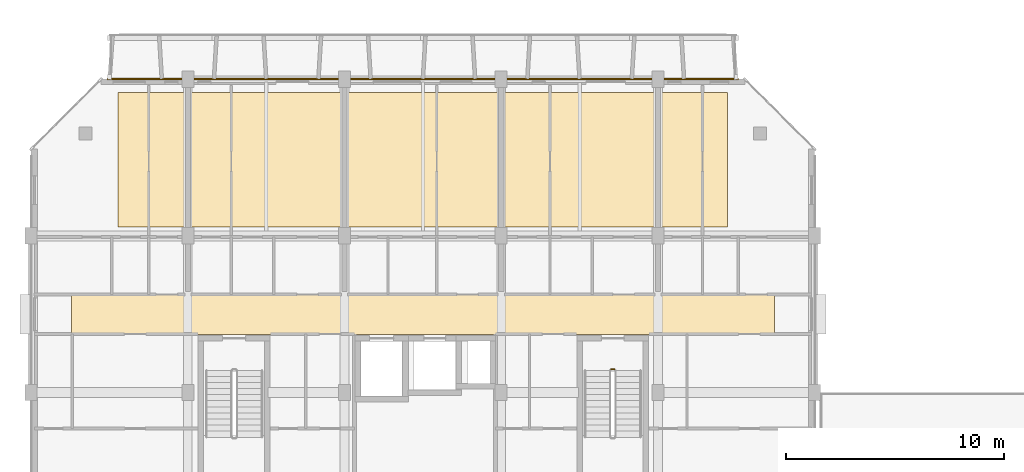
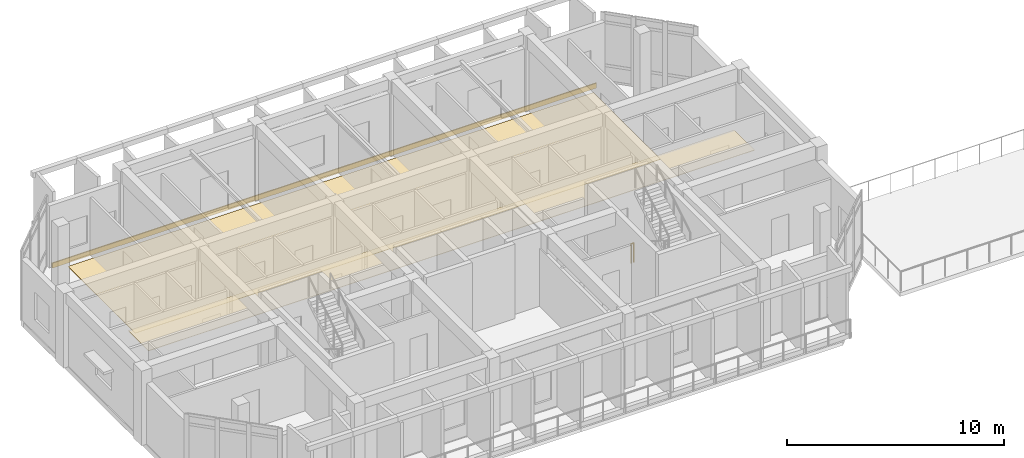
# One storey, part 75 of 85: 3 coverings, 1 railing.
"""IFC4 building model written with IfcOpenShell, lengths in metres."""

from ifc_helpers import new_model, si_unit, direction, frame, origin, origin_2d, place, context, subcontext, project, spatial, polyline, rectangle, circle, outline, extrude, material, layer, layer_set, type_object, element, save


model = new_model("IFC4")

# Units and contexts
model_context = context("Model", 3, precision=1e-05, world=origin(), true_north=direction((0.0, 1.0)))
body_context = subcontext(model_context, "Body", "Model", "MODEL_VIEW")
ifc_project = project(units=[si_unit("LENGTHUNIT", "METRE"), si_unit("AREAUNIT", "SQUARE_METRE"), si_unit("VOLUMEUNIT", "CUBIC_METRE"), si_unit("PLANEANGLEUNIT", "RADIAN"), si_unit("MASSUNIT", "GRAM", prefix="KILO")], contexts=[model_context])

# Site, building, storey
site_placement = place(None, origin())
site = spatial("IfcSite", under=ifc_project, at=site_placement, CompositionType="ELEMENT")
building_placement = place(site_placement, origin())
building = spatial("IfcBuilding", under=site, at=building_placement, Name="Ochrevale Crest", CompositionType="ELEMENT")
storey_placement = place(building_placement, frame((0.0, 0.0, 4.5)))
storey = spatial("IfcBuildingStorey", under=building, at=storey_placement, Name="L01", CompositionType="ELEMENT", Elevation=4.5)

# Coverings
ifc_material_1 = material(Name="Gypsum plasterboard", Category="gypsum")
ifc_layer_1 = layer(ifc_material_1, 0.02490234375)
ifc_layer_set_1 = layer_set([ifc_layer_1], Name="Gypsum plasterboard")
covering_type_1 = type_object("IfcCoveringType", Name="COV-CEIL-GYP", PredefinedType="CEILING", material=ifc_layer_set_1)
covering_1_placement = place(storey_placement, frame((0.0, 0.0, 2.75)))
element("IfcCovering", 1, at=covering_1_placement, inside=storey, type_object=covering_type_1, Name="Block B L01 acoustic corridor ceiling", PredefinedType="CEILING", context=body_context, shape_type="SweptSolid", body=[
    extrude(outline(polyline([(1.85009765625, 81.860107421875), (34.14990234375, 81.860107421875), (34.14990234375, 83.739990234375), (1.85009765625, 83.739990234375), (1.85009765625, 81.860107421875)])), origin(), (0.0, 0.0, 1.0), 0.02490234375),
])
ifc_material_2 = material(Name="Glazed terracotta rainscreen tile", Category="masonry")
ifc_layer_2 = layer(ifc_material_2, 0.048095703125)
ifc_layer_set_2 = layer_set([ifc_layer_2], Name="Glazed terracotta rainscreen tile")
covering_type_2 = type_object("IfcCoveringType", Name="COV-CLAD-TER", PredefinedType="CLADDING", material=ifc_layer_set_2)
covering_2_placement = place(storey_placement, frame((18.0, 93.612548828125, -0.26025390625), z_axis=(0.0, 0.0, 1.0), x_axis=(-1.0, 0.0, 0.0)))
element("IfcCovering", 2, at=covering_2_placement, inside=storey, type_object=covering_type_2, Name="Block B L01 terracotta slab-edge spandrel cladding", PredefinedType="CLADDING", context=body_context, shape_type="SweptSolid", body=[
    extrude(rectangle(XDim=29.0, YDim=0.06005859375, at=origin_2d()), origin(), (0.0, 0.0, 1.0), 0.280029296875),
])
ifc_material_3 = material(Name="Engineered spotted-gum hardwood flooring", Category="wood")
ifc_layer_3 = layer(ifc_material_3, 0.02001953125)
ifc_layer_set_3 = layer_set([ifc_layer_3], Name="Engineered spotted-gum hardwood flooring")
covering_type_3 = type_object("IfcCoveringType", Name="COV-FLR-TIM", PredefinedType="FLOORING", material=ifc_layer_set_3)
covering_3_placement = place(storey_placement, origin())
element("IfcCovering", 3, at=covering_3_placement, inside=storey, type_object=covering_type_3, Name="Block B L01 spotted-gum apartment flooring", PredefinedType="FLOORING", context=body_context, shape_type="SweptSolid", body=[
    extrude(outline(polyline([(4.0, 86.800048828125), (32.0, 86.800048828125), (32.0, 93.0), (4.0, 93.0), (4.0, 86.800048828125)])), origin(), (0.0, 0.0, 1.0), 0.02001953125),
])

# Railing
ifc_material_4 = material(Name="Galvanised steel", Category="steel")
railing_type = type_object("IfcRailingType", Name="RL-ST-GUARD", PredefinedType="BALUSTRADE", material=ifc_material_4)
railing_placement = place(storey_placement, frame((26.64990234375, 80.27490234375, 0.0)))
element("IfcRailing", 4, at=railing_placement, inside=storey, type_object=railing_type, Name="L01 ST-B2 stair guard 4", PredefinedType="BALUSTRADE", context=body_context, shape_type="SweptSolid", body=[
    extrude(circle(Radius=0.02392578125, at=origin_2d()), frame((0.0, 0.0, 1.076171875), z_axis=(1.0, 0.0, 0.0), x_axis=(0.0, 1.0, 0.0)), (0.0, 0.0, 1.0), 0.150146484375),
    extrude(circle(Radius=0.02099609375, at=origin_2d()), origin(), (0.0, 0.0, 1.0), 1.052001953125),
    extrude(circle(Radius=0.02099609375, at=origin_2d()), frame((0.150146484375, 0.0, 0.0)), (0.0, 0.0, 1.0), 1.052001953125),
])

save(model, "model.ifc")
